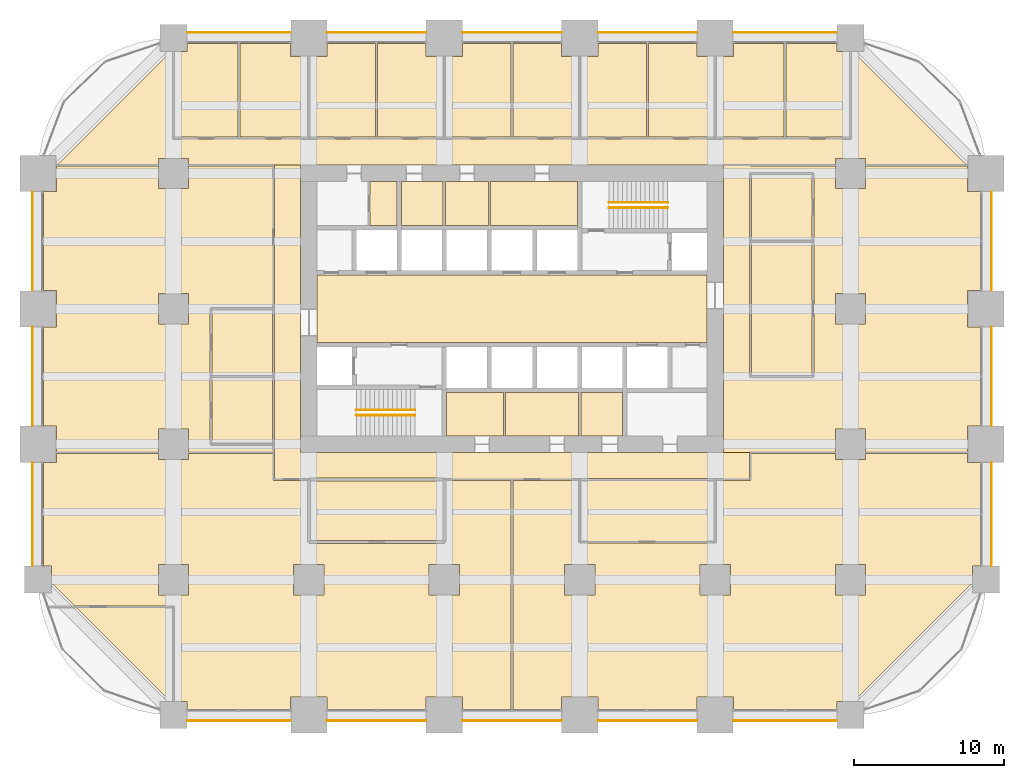
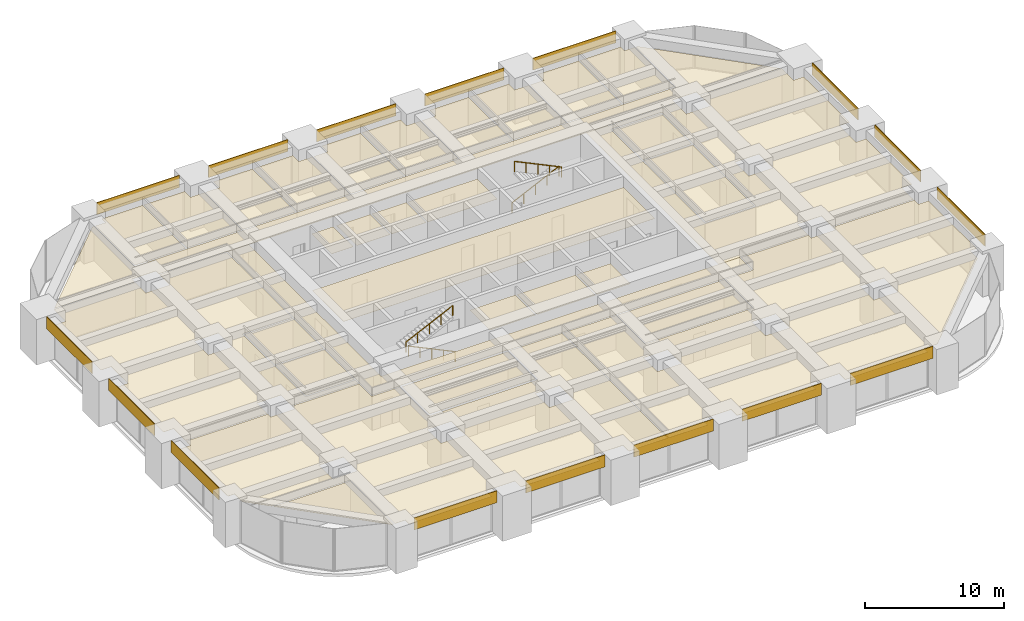
# One storey, part 40 of 40: 47 coverings, 4 railings.
"""IFC4 building model written with IfcOpenShell, lengths in metres."""

from ifc_helpers import new_model, si_unit, direction, frame, frame_2d, origin, origin_2d, place, context, subcontext, project, spatial, polyline, rectangle, circle, outline, extrude, material, layer, layer_set, type_object, element, save


model = new_model("IFC4")

# Units and contexts
model_context = context("Model", 3, precision=1e-05, world=origin(), true_north=direction((0.0, 1.0)))
body_context = subcontext(model_context, "Body", "Model", "MODEL_VIEW")
ifc_project = project(units=[si_unit("LENGTHUNIT", "METRE"), si_unit("AREAUNIT", "SQUARE_METRE"), si_unit("VOLUMEUNIT", "CUBIC_METRE"), si_unit("PLANEANGLEUNIT", "RADIAN"), si_unit("MASSUNIT", "GRAM", prefix="KILO")], contexts=[model_context])

# Site, building, storey
site_placement = place(None, origin())
site = spatial("IfcSite", under=ifc_project, at=site_placement, CompositionType="ELEMENT")
building_placement = place(site_placement, origin())
building = spatial("IfcBuilding", under=site, at=building_placement, Name="Zorevar Civic Tower", CompositionType="ELEMENT")
storey_placement = place(building_placement, frame((0.0, 0.0, 93.0)))
storey = spatial("IfcBuildingStorey", under=building, at=storey_placement, Name="L22", CompositionType="ELEMENT", Elevation=93.0)

# Railings
ifc_material_1 = material(Name="Black steel handrail", Category="steel")
railing_type = type_object("IfcRailingType", Name="Handrail HR1 900", PredefinedType="HANDRAIL", material=ifc_material_1)
railing_1_placement = place(storey_placement, frame((25.050048828125, 19.925048828125, 0.142822265625)))
element("IfcRailing", 1, at=railing_1_placement, inside=storey, type_object=railing_type, Name="Handrail HR1 ST1 L22", PredefinedType="HANDRAIL", context=body_context, shape_type="SweptSolid", body=[
    extrude(circle(Radius=0.02392578125, at=origin_2d()), frame((0.0, 0.0, 0.8759765625), z_axis=(-0.902863652845, 0.0, 0.429926998885), x_axis=(0.0, -1.0, 0.0)), (0.0, 0.0, 1.0), 4.31982421875),
    extrude(circle(Radius=0.02099609375, at=origin_2d()), origin(), (0.0, 0.0, 1.0), 0.851806640625),
    extrude(circle(Radius=0.02099609375, at=origin_2d()), frame((-0.97509765625, 0.0, 0.46435546875)), (0.0, 0.0, 1.0), 0.851806640625),
    extrude(circle(Radius=0.02099609375, at=origin_2d()), frame((-1.9501953125, 0.0, 0.9287109375)), (0.0, 0.0, 1.0), 0.851806640625),
    extrude(circle(Radius=0.02099609375, at=origin_2d()), frame((-2.925048828125, 0.0, 1.392822265625)), (0.0, 0.0, 1.0), 0.851806640625),
    extrude(circle(Radius=0.02099609375, at=origin_2d()), frame((-3.900146484375, 0.0, 1.857177734375)), (0.0, 0.0, 1.0), 0.851806640625),
])
for number, where, name in (
    (2, (21.14990234375, 20.27490234375, 2.142822265625), "Handrail HR1 ST1 L22"),
    (3, (37.949951171875, 34.074951171875, 0.142822265625), "Handrail HR1 ST2 L22"),
):
    element("IfcRailing", number, at=place(storey_placement, frame(where)), inside=storey, type_object=railing_type, Name=name, PredefinedType="HANDRAIL", context=body_context, shape_type="SweptSolid", body=[
        extrude(circle(Radius=0.02392578125, at=origin_2d()), frame((0.0, 0.0, 0.8759765625), z_axis=(0.902863652845, 0.0, 0.429926998885), x_axis=(0.0, 1.0, 0.0)), (0.0, 0.0, 1.0), 4.31982421875),
        extrude(circle(Radius=0.02099609375, at=origin_2d()), origin(), (0.0, 0.0, 1.0), 0.851806640625),
        extrude(circle(Radius=0.02099609375, at=origin_2d()), frame((0.97509765625, 0.0, 0.46435546875)), (0.0, 0.0, 1.0), 0.851806640625),
        extrude(circle(Radius=0.02099609375, at=origin_2d()), frame((1.9501953125, 0.0, 0.9287109375)), (0.0, 0.0, 1.0), 0.851806640625),
        extrude(circle(Radius=0.02099609375, at=origin_2d()), frame((2.925048828125, 0.0, 1.392822265625)), (0.0, 0.0, 1.0), 0.851806640625),
        extrude(circle(Radius=0.02099609375, at=origin_2d()), frame((3.900146484375, 0.0, 1.857177734375)), (0.0, 0.0, 1.0), 0.851806640625),
    ])
railing_2_placement = place(storey_placement, frame((41.85009765625, 33.72509765625, 2.142822265625)))
element("IfcRailing", 4, at=railing_2_placement, inside=storey, type_object=railing_type, Name="Handrail HR1 ST2 L22", PredefinedType="HANDRAIL", context=body_context, shape_type="SweptSolid", body=[
    extrude(circle(Radius=0.02392578125, at=origin_2d()), frame((0.0, 0.0, 0.8759765625), z_axis=(-0.902863652845, 0.0, 0.429926998885), x_axis=(0.0, -1.0, 0.0)), (0.0, 0.0, 1.0), 4.31982421875),
    extrude(circle(Radius=0.02099609375, at=origin_2d()), origin(), (0.0, 0.0, 1.0), 0.851806640625),
    extrude(circle(Radius=0.02099609375, at=origin_2d()), frame((-0.97509765625, 0.0, 0.46435546875)), (0.0, 0.0, 1.0), 0.851806640625),
    extrude(circle(Radius=0.02099609375, at=origin_2d()), frame((-1.9501953125, 0.0, 0.9287109375)), (0.0, 0.0, 1.0), 0.851806640625),
    extrude(circle(Radius=0.02099609375, at=origin_2d()), frame((-2.925048828125, 0.0, 1.392822265625)), (0.0, 0.0, 1.0), 0.851806640625),
    extrude(circle(Radius=0.02099609375, at=origin_2d()), frame((-3.900146484375, 0.0, 1.857177734375)), (0.0, 0.0, 1.0), 0.851806640625),
])

# Coverings
ifc_material_2 = material(Name="Moisture-resistant gypsum board")
ifc_layer_1 = layer(ifc_material_2, 0.012451171875)
ifc_layer_set_1 = layer_set([ifc_layer_1], Name="Moisture-resistant ceiling SC3")
covering_type_1 = type_object("IfcCoveringType", Name="Moisture-resistant ceiling SC3", PredefinedType="CEILING", material=ifc_layer_set_1)
covering_1_placement = place(storey_placement, frame((0.0, 0.0, 3.0)))
element("IfcCovering", 5, at=covering_1_placement, inside=storey, type_object=covering_type_1, Name="Ceiling L22-05", PredefinedType="CEILING", context=body_context, shape_type="SweptSolid", body=[
    extrude(outline(polyline([(30.925048828125, 18.550048828125), (30.925048828125, 21.449951171875), (27.14990234375, 21.449951171875), (27.14990234375, 18.550048828125), (30.925048828125, 18.550048828125)])), origin(), (0.0, 0.0, 1.0), 0.012451171875),
])
covering_2_placement = place(storey_placement, frame((0.0, 0.0, 3.0)))
element("IfcCovering", 6, at=covering_2_placement, inside=storey, type_object=covering_type_1, Name="Ceiling L22-06", PredefinedType="CEILING", context=body_context, shape_type="SweptSolid", body=[
    extrude(outline(polyline([(35.925048828125, 18.550048828125), (35.925048828125, 21.449951171875), (31.074951171875, 21.449951171875), (31.074951171875, 18.550048828125), (35.925048828125, 18.550048828125)])), origin(), (0.0, 0.0, 1.0), 0.012451171875),
])
covering_3_placement = place(storey_placement, frame((0.0, 0.0, 3.0)))
element("IfcCovering", 7, at=covering_3_placement, inside=storey, type_object=covering_type_1, Name="Ceiling L22-07", PredefinedType="CEILING", context=body_context, shape_type="SweptSolid", body=[
    extrude(outline(polyline([(38.85009765625, 18.550048828125), (38.85009765625, 21.449951171875), (36.074951171875, 21.449951171875), (36.074951171875, 18.550048828125), (38.85009765625, 18.550048828125)])), origin(), (0.0, 0.0, 1.0), 0.012451171875),
])
covering_4_placement = place(storey_placement, frame((0.0, 0.0, 3.0)))
element("IfcCovering", 8, at=covering_4_placement, inside=storey, type_object=covering_type_1, Name="Ceiling L22-10", PredefinedType="CEILING", context=body_context, shape_type="SweptSolid", body=[
    extrude(outline(polyline([(26.925048828125, 32.550048828125), (26.925048828125, 35.449951171875), (24.14990234375, 35.449951171875), (24.14990234375, 32.550048828125), (26.925048828125, 32.550048828125)])), origin(), (0.0, 0.0, 1.0), 0.012451171875),
])
ifc_material_3 = material(Name="Black anodised aluminium spandrel panel", Category="aluminium")
ifc_layer_2 = layer(ifc_material_3, 0.050048828125)
ifc_layer_set_2 = layer_set([ifc_layer_2], Name="Spandrel cladding SP1")
covering_type_2 = type_object("IfcCoveringType", Name="Spandrel cladding SP1", PredefinedType="CLADDING", material=ifc_layer_set_2)
covering_5_placement = place(storey_placement, frame((9.89990234375, -0.375, 2.949951171875), z_axis=(0.0, 0.0, 1.0), x_axis=(1.0, 0.0, 0.0)))
element("IfcCovering", 9, at=covering_5_placement, inside=storey, type_object=covering_type_2, Name="Spandrel cladding L23", PredefinedType="CLADDING", context=body_context, shape_type="SweptSolid", body=[
    extrude(rectangle(XDim=6.900146484375, YDim=0.050048828125, at=frame_2d((3.4501953125, 0.0))), origin(), (0.0, 0.0, 1.0), 1.050048828125),
])
for number, where, z_axis, x_axis, name in (
    (10, (19.199951171875, -0.375, 2.949951171875), (0.0, 0.0, 1.0), (1.0, 0.0, 0.0), "Spandrel cladding L23"),
    (11, (28.199951171875, -0.375, 2.949951171875), (0.0, 0.0, 1.0), (1.0, 0.0, 0.0), "Spandrel cladding L23"),
    (12, (37.199951171875, -0.375, 2.949951171875), (0.0, 0.0, 1.0), (1.0, 0.0, 0.0), "Spandrel cladding L23"),
):
    element("IfcCovering", number, at=place(storey_placement, frame(where, z_axis=z_axis, x_axis=x_axis)), inside=storey, type_object=covering_type_2, Name=name, PredefinedType="CLADDING", context=body_context, shape_type="SweptSolid", body=[
        extrude(rectangle(XDim=6.60009765625, YDim=0.050048828125, at=frame_2d((3.300048828125, 0.0))), origin(), (0.0, 0.0, 1.0), 1.050048828125),
    ])
for number, where, z_axis, x_axis, name in (
    (13, (46.199951171875, -0.375, 2.949951171875), (0.0, 0.0, 1.0), (1.0, 0.0, 0.0), "Spandrel cladding L23"),
    (14, (9.89990234375, 45.375, 2.949951171875), (0.0, 0.0, 1.0), (1.0, 0.0, 0.0), "Spandrel cladding L23"),
):
    element("IfcCovering", number, at=place(storey_placement, frame(where, z_axis=z_axis, x_axis=x_axis)), inside=storey, type_object=covering_type_2, Name=name, PredefinedType="CLADDING", context=body_context, shape_type="SweptSolid", body=[
        extrude(rectangle(XDim=6.900146484375, YDim=0.050048828125, at=frame_2d((3.4501953125, 0.0))), origin(), (0.0, 0.0, 1.0), 1.050048828125),
    ])
for number, where, z_axis, x_axis, name in (
    (15, (19.199951171875, 45.375, 2.949951171875), (0.0, 0.0, 1.0), (1.0, 0.0, 0.0), "Spandrel cladding L23"),
    (16, (28.199951171875, 45.375, 2.949951171875), (0.0, 0.0, 1.0), (1.0, 0.0, 0.0), "Spandrel cladding L23"),
    (17, (37.199951171875, 45.375, 2.949951171875), (0.0, 0.0, 1.0), (1.0, 0.0, 0.0), "Spandrel cladding L23"),
):
    element("IfcCovering", number, at=place(storey_placement, frame(where, z_axis=z_axis, x_axis=x_axis)), inside=storey, type_object=covering_type_2, Name=name, PredefinedType="CLADDING", context=body_context, shape_type="SweptSolid", body=[
        extrude(rectangle(XDim=6.60009765625, YDim=0.050048828125, at=frame_2d((3.300048828125, 0.0))), origin(), (0.0, 0.0, 1.0), 1.050048828125),
    ])
for number, where, z_axis, x_axis, name in (
    (18, (46.199951171875, 45.375, 2.949951171875), (0.0, 0.0, 1.0), (1.0, 0.0, 0.0), "Spandrel cladding L23"),
    (19, (-0.375, 9.89990234375, 2.949951171875), (0.0, 0.0, 1.0), (0.0, 1.0, 0.0), "Spandrel cladding L23"),
):
    element("IfcCovering", number, at=place(storey_placement, frame(where, z_axis=z_axis, x_axis=x_axis)), inside=storey, type_object=covering_type_2, Name=name, PredefinedType="CLADDING", context=body_context, shape_type="SweptSolid", body=[
        extrude(rectangle(XDim=6.900146484375, YDim=0.050048828125, at=frame_2d((3.4501953125, 0.0))), origin(), (0.0, 0.0, 1.0), 1.050048828125),
    ])
for number, where, z_axis, x_axis, name in (
    (20, (-0.375, 19.199951171875, 2.949951171875), (0.0, 0.0, 1.0), (0.0, 1.0, 0.0), "Spandrel cladding L23"),
    (21, (-0.375, 28.199951171875, 2.949951171875), (0.0, 0.0, 1.0), (0.0, 1.0, 0.0), "Spandrel cladding L23"),
):
    element("IfcCovering", number, at=place(storey_placement, frame(where, z_axis=z_axis, x_axis=x_axis)), inside=storey, type_object=covering_type_2, Name=name, PredefinedType="CLADDING", context=body_context, shape_type="SweptSolid", body=[
        extrude(rectangle(XDim=6.60009765625, YDim=0.050048828125, at=frame_2d((3.300048828125, 0.0))), origin(), (0.0, 0.0, 1.0), 1.050048828125),
    ])
covering_6_placement = place(storey_placement, frame((63.375, 9.89990234375, 2.949951171875), z_axis=(0.0, 0.0, 1.0), x_axis=(0.0, 1.0, 0.0)))
element("IfcCovering", 22, at=covering_6_placement, inside=storey, type_object=covering_type_2, Name="Spandrel cladding L23", PredefinedType="CLADDING", context=body_context, shape_type="SweptSolid", body=[
    extrude(rectangle(XDim=6.900146484375, YDim=0.050048828125, at=frame_2d((3.4501953125, 0.0))), origin(), (0.0, 0.0, 1.0), 1.050048828125),
])
for number, where, z_axis, x_axis, name in (
    (23, (63.375, 19.199951171875, 2.949951171875), (0.0, 0.0, 1.0), (0.0, 1.0, 0.0), "Spandrel cladding L23"),
    (24, (63.375, 28.199951171875, 2.949951171875), (0.0, 0.0, 1.0), (0.0, 1.0, 0.0), "Spandrel cladding L23"),
):
    element("IfcCovering", number, at=place(storey_placement, frame(where, z_axis=z_axis, x_axis=x_axis)), inside=storey, type_object=covering_type_2, Name=name, PredefinedType="CLADDING", context=body_context, shape_type="SweptSolid", body=[
        extrude(rectangle(XDim=6.60009765625, YDim=0.050048828125, at=frame_2d((3.300048828125, 0.0))), origin(), (0.0, 0.0, 1.0), 1.050048828125),
    ])
ifc_material_4 = material(Name="Mineral fibre tiles on a concealed grid")
ifc_layer_3 = layer(ifc_material_4, 0.02001953125)
ifc_layer_set_3 = layer_set([ifc_layer_3], Name="Suspended ceiling SC1")
covering_type_3 = type_object("IfcCoveringType", Name="Suspended ceiling SC1", PredefinedType="CEILING", material=ifc_layer_set_3)
covering_7_placement = place(storey_placement, frame((0.0, 0.0, 3.0)))
element("IfcCovering", 25, at=covering_7_placement, inside=storey, type_object=covering_type_3, Name="Ceiling L22-08", PredefinedType="CEILING", context=body_context, shape_type="SweptSolid", body=[
    extrude(outline(polyline([(35.85009765625, 32.550048828125), (35.85009765625, 35.449951171875), (30.06005859375, 35.449951171875), (30.06005859375, 32.550048828125), (35.85009765625, 32.550048828125)])), origin(), (0.0, 0.0, 1.0), 0.02001953125),
])
covering_8_placement = place(storey_placement, frame((0.0, 0.0, 3.0)))
element("IfcCovering", 26, at=covering_8_placement, inside=storey, type_object=covering_type_3, Name="Ceiling L22-09", PredefinedType="CEILING", context=body_context, shape_type="SweptSolid", body=[
    extrude(outline(polyline([(29.93994140625, 32.550048828125), (29.93994140625, 35.449951171875), (27.074951171875, 35.449951171875), (27.074951171875, 32.550048828125), (29.93994140625, 32.550048828125)])), origin(), (0.0, 0.0, 1.0), 0.02001953125),
])
covering_9_placement = place(storey_placement, frame((0.0, 0.0, 3.0)))
element("IfcCovering", 27, at=covering_9_placement, inside=storey, type_object=covering_type_3, Name="Ceiling L22-12", PredefinedType="CEILING", context=body_context, shape_type="SweptSolid", body=[
    extrude(outline(polyline([(23.85009765625, 32.550048828125), (23.85009765625, 35.449951171875), (22.06005859375, 35.449951171875), (22.06005859375, 32.550048828125), (23.85009765625, 32.550048828125)])), origin(), (0.0, 0.0, 1.0), 0.02001953125),
])
covering_10_placement = place(storey_placement, frame((0.0, 0.0, 3.0)))
element("IfcCovering", 28, at=covering_10_placement, inside=storey, type_object=covering_type_3, Name="Ceiling L22-16", PredefinedType="CEILING", context=body_context, shape_type="SweptSolid", body=[
    extrude(outline(polyline([(44.449951171875, 24.75), (44.449951171875, 29.25), (18.550048828125, 29.25), (18.550048828125, 24.75), (44.449951171875, 24.75)])), origin(), (0.0, 0.0, 1.0), 0.02001953125),
])
covering_11_placement = place(storey_placement, frame((0.0, 0.0, 3.0)))
element("IfcCovering", 29, at=covering_11_placement, inside=storey, type_object=covering_type_3, Name="Ceiling L22-17", PredefinedType="CEILING", context=body_context, shape_type="SweptSolid", body=[
    extrude(outline(polyline([(9.06005859375, 38.409912109375), (9.06005859375, 44.090087890625), (9.909912109375, 44.090087890625), (9.909912109375, 44.64990234375), (13.2900390625, 44.64990234375), (13.2900390625, 38.409912109375), (9.06005859375, 38.409912109375)])), origin(), (0.0, 0.0, 1.0), 0.02001953125),
])
covering_12_placement = place(storey_placement, frame((0.0, 0.0, 3.0)))
element("IfcCovering", 30, at=covering_12_placement, inside=storey, type_object=covering_type_3, Name="Ceiling L22-18", PredefinedType="CEILING", context=body_context, shape_type="SweptSolid", body=[
    extrude(outline(polyline([(13.409912109375, 38.409912109375), (13.409912109375, 44.64990234375), (16.7900390625, 44.64990234375), (16.7900390625, 43.7900390625), (17.93994140625, 43.7900390625), (17.93994140625, 38.409912109375), (13.409912109375, 38.409912109375)])), origin(), (0.0, 0.0, 1.0), 0.02001953125),
])
covering_13_placement = place(storey_placement, frame((0.0, 0.0, 3.0)))
element("IfcCovering", 31, at=covering_13_placement, inside=storey, type_object=covering_type_3, Name="Ceiling L22-19", PredefinedType="CEILING", context=body_context, shape_type="SweptSolid", body=[
    extrude(outline(polyline([(18.06005859375, 38.409912109375), (18.06005859375, 43.7900390625), (19.2099609375, 43.7900390625), (19.2099609375, 44.64990234375), (22.43994140625, 44.64990234375), (22.43994140625, 38.409912109375), (18.06005859375, 38.409912109375)])), origin(), (0.0, 0.0, 1.0), 0.02001953125),
])
covering_14_placement = place(storey_placement, frame((0.0, 0.0, 3.0)))
element("IfcCovering", 32, at=covering_14_placement, inside=storey, type_object=covering_type_3, Name="Ceiling L22-20", PredefinedType="CEILING", context=body_context, shape_type="SweptSolid", body=[
    extrude(outline(polyline([(22.56005859375, 38.409912109375), (22.56005859375, 44.64990234375), (25.7900390625, 44.64990234375), (25.7900390625, 43.7900390625), (26.93994140625, 43.7900390625), (26.93994140625, 38.409912109375), (22.56005859375, 38.409912109375)])), origin(), (0.0, 0.0, 1.0), 0.02001953125),
])
covering_15_placement = place(storey_placement, frame((0.0, 0.0, 3.0)))
element("IfcCovering", 33, at=covering_15_placement, inside=storey, type_object=covering_type_3, Name="Ceiling L22-21", PredefinedType="CEILING", context=body_context, shape_type="SweptSolid", body=[
    extrude(outline(polyline([(27.06005859375, 38.409912109375), (27.06005859375, 43.7900390625), (28.2099609375, 43.7900390625), (28.2099609375, 44.64990234375), (31.43994140625, 44.64990234375), (31.43994140625, 38.409912109375), (27.06005859375, 38.409912109375)])), origin(), (0.0, 0.0, 1.0), 0.02001953125),
])
covering_16_placement = place(storey_placement, frame((0.0, 0.0, 3.0)))
element("IfcCovering", 34, at=covering_16_placement, inside=storey, type_object=covering_type_3, Name="Ceiling L22-22", PredefinedType="CEILING", context=body_context, shape_type="SweptSolid", body=[
    extrude(outline(polyline([(31.56005859375, 38.409912109375), (31.56005859375, 44.64990234375), (34.7900390625, 44.64990234375), (34.7900390625, 43.7900390625), (35.93994140625, 43.7900390625), (35.93994140625, 38.409912109375), (31.56005859375, 38.409912109375)])), origin(), (0.0, 0.0, 1.0), 0.02001953125),
])
covering_17_placement = place(storey_placement, frame((0.0, 0.0, 3.0)))
element("IfcCovering", 35, at=covering_17_placement, inside=storey, type_object=covering_type_3, Name="Ceiling L22-23", PredefinedType="CEILING", context=body_context, shape_type="SweptSolid", body=[
    extrude(outline(polyline([(36.06005859375, 38.409912109375), (36.06005859375, 43.7900390625), (37.2099609375, 43.7900390625), (37.2099609375, 44.64990234375), (40.43994140625, 44.64990234375), (40.43994140625, 38.409912109375), (36.06005859375, 38.409912109375)])), origin(), (0.0, 0.0, 1.0), 0.02001953125),
])
covering_18_placement = place(storey_placement, frame((0.0, 0.0, 3.0)))
element("IfcCovering", 36, at=covering_18_placement, inside=storey, type_object=covering_type_3, Name="Ceiling L22-24", PredefinedType="CEILING", context=body_context, shape_type="SweptSolid", body=[
    extrude(outline(polyline([(40.56005859375, 38.409912109375), (40.56005859375, 44.64990234375), (43.7900390625, 44.64990234375), (43.7900390625, 43.7900390625), (44.93994140625, 43.7900390625), (44.93994140625, 38.409912109375), (40.56005859375, 38.409912109375)])), origin(), (0.0, 0.0, 1.0), 0.02001953125),
])
covering_19_placement = place(storey_placement, frame((0.0, 0.0, 3.0)))
element("IfcCovering", 37, at=covering_19_placement, inside=storey, type_object=covering_type_3, Name="Ceiling L22-25", PredefinedType="CEILING", context=body_context, shape_type="SweptSolid", body=[
    extrude(outline(polyline([(45.06005859375, 38.409912109375), (45.06005859375, 43.7900390625), (46.2099609375, 43.7900390625), (46.2099609375, 44.64990234375), (49.590087890625, 44.64990234375), (49.590087890625, 38.409912109375), (45.06005859375, 38.409912109375)])), origin(), (0.0, 0.0, 1.0), 0.02001953125),
])
covering_20_placement = place(storey_placement, frame((0.0, 0.0, 3.0)))
element("IfcCovering", 38, at=covering_20_placement, inside=storey, type_object=covering_type_3, Name="Ceiling L22-26", PredefinedType="CEILING", context=body_context, shape_type="SweptSolid", body=[
    extrude(outline(polyline([(49.7099609375, 38.409912109375), (49.7099609375, 44.64990234375), (53.090087890625, 44.64990234375), (53.090087890625, 44.090087890625), (53.93994140625, 44.090087890625), (53.93994140625, 38.409912109375), (49.7099609375, 38.409912109375)])), origin(), (0.0, 0.0, 1.0), 0.02001953125),
])
covering_21_placement = place(storey_placement, frame((0.0, 0.0, 3.0)))
element("IfcCovering", 39, at=covering_21_placement, inside=storey, type_object=covering_type_3, Name="Ceiling L22-27", PredefinedType="CEILING", context=body_context, shape_type="SweptSolid", body=[
    extrude(outline(polyline([(18.10009765625, 11.60009765625), (18.10009765625, 15.550048828125), (26.89990234375, 15.550048828125), (26.89990234375, 11.60009765625), (18.10009765625, 11.60009765625)])), origin(), (0.0, 0.0, 1.0), 0.02001953125),
])
covering_22_placement = place(storey_placement, frame((0.0, 0.0, 3.0)))
element("IfcCovering", 40, at=covering_22_placement, inside=storey, type_object=covering_type_3, Name="Ceiling L22-28", PredefinedType="CEILING", context=body_context, shape_type="SweptSolid", body=[
    extrude(outline(polyline([(44.93994140625, 15.590087890625), (44.93994140625, 11.550048828125), (36.06005859375, 11.550048828125), (36.06005859375, 15.590087890625), (44.93994140625, 15.590087890625)])), origin(), (0.0, 0.0, 1.0), 0.02001953125),
])
covering_23_placement = place(storey_placement, frame((0.0, 0.0, 3.0)))
element("IfcCovering", 41, at=covering_23_placement, inside=storey, type_object=covering_type_3, Name="Ceiling L22-29", PredefinedType="CEILING", context=body_context, shape_type="SweptSolid", body=[
    extrude(outline(polyline([(15.590087890625, 22.43994140625), (15.590087890625, 18.06005859375), (11.56005859375, 18.06005859375), (11.56005859375, 22.43994140625), (15.590087890625, 22.43994140625)])), origin(), (0.0, 0.0, 1.0), 0.02001953125),
])
covering_24_placement = place(storey_placement, frame((0.0, 0.0, 3.0)))
element("IfcCovering", 42, at=covering_24_placement, inside=storey, type_object=covering_type_3, Name="Ceiling L22-30", PredefinedType="CEILING", context=body_context, shape_type="SweptSolid", body=[
    extrude(outline(polyline([(47.409912109375, 35.93994140625), (51.43994140625, 35.93994140625), (51.43994140625, 31.56005859375), (47.409912109375, 31.56005859375), (47.409912109375, 35.93994140625)])), origin(), (0.0, 0.0, 1.0), 0.02001953125),
])
covering_25_placement = place(storey_placement, frame((0.0, 0.0, 3.0)))
element("IfcCovering", 43, at=covering_25_placement, inside=storey, type_object=covering_type_3, Name="Ceiling L22-31", PredefinedType="CEILING", context=body_context, shape_type="SweptSolid", body=[
    extrude(outline(polyline([(51.43994140625, 31.43994140625), (51.43994140625, 22.56005859375), (47.409912109375, 22.56005859375), (47.409912109375, 31.43994140625), (51.43994140625, 31.43994140625)])), origin(), (0.0, 0.0, 1.0), 0.02001953125),
])
covering_26_placement = place(storey_placement, frame((0.0, 0.0, 3.0)))
element("IfcCovering", 44, at=covering_26_placement, inside=storey, type_object=covering_type_3, Name="Ceiling L22-32", PredefinedType="CEILING", context=body_context, shape_type="SweptSolid", body=[
    extrude(outline(polyline([(11.56005859375, 26.93994140625), (15.590087890625, 26.93994140625), (15.590087890625, 22.56005859375), (11.56005859375, 22.56005859375), (11.56005859375, 26.93994140625)])), origin(), (0.0, 0.0, 1.0), 0.02001953125),
])
covering_27_placement = place(storey_placement, frame((0.0, 0.0, 3.0)))
element("IfcCovering", 45, at=covering_27_placement, inside=storey, type_object=covering_type_3, Name="Ceiling L22-33", PredefinedType="CEILING", context=body_context, shape_type="SweptSolid", body=[
    extrude(outline(polyline([(8.949951171875, 7.14990234375), (8.949951171875, 0.909912109375), (8.797119140625, 0.909912109375), (2.55712890625, 7.14990234375), (8.949951171875, 7.14990234375)])), origin(), (0.0, 0.0, 1.0), 0.02001953125),
])
covering_28_placement = place(storey_placement, frame((0.0, 0.0, 3.0)))
element("IfcCovering", 46, at=covering_28_placement, inside=storey, type_object=covering_type_3, Name="Ceiling L22-34", PredefinedType="CEILING", context=body_context, shape_type="SweptSolid", body=[
    extrude(outline(polyline([(47.300048828125, 15.699951171875), (45.0, 15.699951171875), (45.0, 15.7099609375), (36.0, 15.7099609375), (36.0, 15.699951171875), (27.0, 15.699951171875), (27.0, 15.75), (18.0, 15.75), (18.0, 15.699951171875), (15.699951171875, 15.699951171875), (15.699951171875, 18.0), (15.7099609375, 18.0), (15.7099609375, 27.0), (15.699951171875, 27.0), (15.699951171875, 36.550048828125), (17.449951171875, 36.550048828125), (17.449951171875, 17.449951171875), (47.300048828125, 17.449951171875), (47.300048828125, 15.699951171875)])), origin(), (0.0, 0.0, 1.0), 0.02001953125),
])
covering_29_placement = place(storey_placement, frame((0.0, 0.0, 3.0)))
element("IfcCovering", 47, at=covering_29_placement, inside=storey, type_object=covering_type_3, Name="Ceiling L22-35", PredefinedType="CEILING", context=body_context, shape_type="SweptSolid", body=[
    extrude(outline(polyline([(47.35009765625, 36.5), (52.989990234375, 36.5), (52.989990234375, 34.989990234375), (55.010009765625, 34.989990234375), (55.010009765625, 36.5), (61.7900390625, 36.5), (61.7900390625, 34.7900390625), (62.64990234375, 34.7900390625), (62.64990234375, 28.2099609375), (61.7900390625, 28.2099609375), (61.7900390625, 25.7900390625), (62.64990234375, 25.7900390625), (62.64990234375, 19.2099609375), (61.7900390625, 19.2099609375), (61.7900390625, 17.5), (55.010009765625, 17.5), (55.010009765625, 19.010009765625), (52.989990234375, 19.010009765625), (52.989990234375, 17.5), (47.35009765625, 17.5), (47.35009765625, 17.449951171875), (45.550048828125, 17.449951171875), (45.550048828125, 36.550048828125), (47.35009765625, 36.550048828125), (47.35009765625, 36.5)]), holes=[polyline([(47.2900390625, 36.0), (47.2900390625, 22.5), (47.35009765625, 22.5), (47.35009765625, 22.43994140625), (51.5, 22.43994140625), (51.5, 22.5), (51.56005859375, 22.5), (51.56005859375, 36.0), (51.5, 36.0), (51.5, 36.06005859375), (47.35009765625, 36.06005859375), (47.35009765625, 36.0), (47.2900390625, 36.0)]), polyline([(55.010009765625, 28.010009765625), (52.989990234375, 28.010009765625), (52.989990234375, 25.989990234375), (55.010009765625, 25.989990234375), (55.010009765625, 28.010009765625)])]), origin(), (0.0, 0.0, 1.0), 0.02001953125),
])
covering_30_placement = place(storey_placement, frame((0.0, 0.0, 3.0)))
element("IfcCovering", 48, at=covering_30_placement, inside=storey, type_object=covering_type_3, Name="Ceiling L22-36", PredefinedType="CEILING", context=body_context, shape_type="SweptSolid", body=[
    extrude(outline(polyline([(9.0, 38.35009765625), (9.0, 38.2900390625), (54.0, 38.2900390625), (54.0, 38.35009765625), (54.06005859375, 38.35009765625), (54.06005859375, 44.090087890625), (54.202880859375, 44.090087890625), (61.69287109375, 36.60009765625), (55.010009765625, 36.60009765625), (55.010009765625, 37.010009765625), (52.989990234375, 37.010009765625), (52.989990234375, 36.60009765625), (47.35009765625, 36.60009765625), (47.35009765625, 36.550048828125), (15.64990234375, 36.550048828125), (15.64990234375, 36.60009765625), (10.010009765625, 36.60009765625), (10.010009765625, 37.010009765625), (7.989990234375, 37.010009765625), (7.989990234375, 36.60009765625), (1.30712890625, 36.60009765625), (8.797119140625, 44.090087890625), (8.93994140625, 44.090087890625), (8.93994140625, 38.35009765625), (9.0, 38.35009765625)])), origin(), (0.0, 0.0, 1.0), 0.02001953125),
])
covering_31_placement = place(storey_placement, frame((0.0, 0.0, 3.0)))
element("IfcCovering", 49, at=covering_31_placement, inside=storey, type_object=covering_type_3, Name="Ceiling L22-37", PredefinedType="CEILING", context=body_context, shape_type="SweptSolid", body=[
    extrude(outline(polyline([(17.89990234375, 11.5), (18.0, 11.5), (18.0, 11.39990234375), (27.0, 11.39990234375), (27.0, 11.5), (27.10009765625, 11.5), (27.10009765625, 15.60009765625), (31.449951171875, 15.60009765625), (31.449951171875, 0.35009765625), (28.2099609375, 0.35009765625), (28.2099609375, 1.2099609375), (25.7900390625, 1.2099609375), (25.7900390625, 0.35009765625), (19.2099609375, 0.35009765625), (19.2099609375, 1.2099609375), (16.7900390625, 1.2099609375), (16.7900390625, 0.35009765625), (9.909912109375, 0.35009765625), (9.909912109375, 0.909912109375), (9.050048828125, 0.909912109375), (9.050048828125, 7.199951171875), (9.0, 7.199951171875), (9.0, 7.25), (2.45703125, 7.25), (0.909912109375, 8.797119140625), (0.909912109375, 9.909912109375), (0.35009765625, 9.909912109375), (0.35009765625, 16.7900390625), (1.2099609375, 16.7900390625), (1.2099609375, 17.39990234375), (7.989990234375, 17.39990234375), (7.989990234375, 16.989990234375), (10.010009765625, 16.989990234375), (10.010009765625, 17.39990234375), (15.60009765625, 17.39990234375), (15.60009765625, 15.64990234375), (15.64990234375, 15.64990234375), (15.64990234375, 15.60009765625), (17.89990234375, 15.60009765625), (17.89990234375, 11.5)]), holes=[polyline([(7.989990234375, 7.989990234375), (10.010009765625, 7.989990234375), (10.010009765625, 10.010009765625), (7.989990234375, 10.010009765625), (7.989990234375, 7.989990234375)]), polyline([(19.010009765625, 7.989990234375), (19.010009765625, 10.010009765625), (16.989990234375, 10.010009765625), (16.989990234375, 7.989990234375), (19.010009765625, 7.989990234375)]), polyline([(25.989990234375, 10.010009765625), (25.989990234375, 7.989990234375), (28.010009765625, 7.989990234375), (28.010009765625, 10.010009765625), (25.989990234375, 10.010009765625)])]), origin(), (0.0, 0.0, 1.0), 0.02001953125),
])
covering_32_placement = place(storey_placement, frame((0.0, 0.0, 3.0)))
element("IfcCovering", 50, at=covering_32_placement, inside=storey, type_object=covering_type_3, Name="Ceiling L22-38", PredefinedType="CEILING", context=body_context, shape_type="SweptSolid", body=[
    extrude(outline(polyline([(62.090087890625, 9.909912109375), (62.090087890625, 8.797119140625), (54.202880859375, 0.909912109375), (53.090087890625, 0.909912109375), (53.090087890625, 0.35009765625), (46.2099609375, 0.35009765625), (46.2099609375, 1.2099609375), (43.7900390625, 1.2099609375), (43.7900390625, 0.35009765625), (37.2099609375, 0.35009765625), (37.2099609375, 1.2099609375), (34.7900390625, 1.2099609375), (34.7900390625, 0.35009765625), (31.550048828125, 0.35009765625), (31.550048828125, 15.60009765625), (35.93994140625, 15.60009765625), (35.93994140625, 11.5), (36.0, 11.5), (36.0, 11.449951171875), (45.0, 11.449951171875), (45.0, 11.5), (45.06005859375, 11.5), (45.06005859375, 15.60009765625), (47.35009765625, 15.60009765625), (47.35009765625, 15.64990234375), (47.39990234375, 15.64990234375), (47.39990234375, 17.39990234375), (52.989990234375, 17.39990234375), (52.989990234375, 16.989990234375), (55.010009765625, 16.989990234375), (55.010009765625, 17.39990234375), (61.7900390625, 17.39990234375), (61.7900390625, 16.7900390625), (62.64990234375, 16.7900390625), (62.64990234375, 9.909912109375), (62.090087890625, 9.909912109375)]), holes=[polyline([(37.010009765625, 10.010009765625), (34.989990234375, 10.010009765625), (34.989990234375, 7.989990234375), (37.010009765625, 7.989990234375), (37.010009765625, 10.010009765625)]), polyline([(43.989990234375, 7.989990234375), (46.010009765625, 7.989990234375), (46.010009765625, 10.010009765625), (43.989990234375, 10.010009765625), (43.989990234375, 7.989990234375)]), polyline([(55.010009765625, 10.010009765625), (52.989990234375, 10.010009765625), (52.989990234375, 7.989990234375), (55.010009765625, 7.989990234375), (55.010009765625, 10.010009765625)])]), origin(), (0.0, 0.0, 1.0), 0.02001953125),
])
covering_33_placement = place(storey_placement, frame((0.0, 0.0, 3.0)))
element("IfcCovering", 51, at=covering_33_placement, inside=storey, type_object=covering_type_3, Name="Ceiling L22-39", PredefinedType="CEILING", context=body_context, shape_type="SweptSolid", body=[
    extrude(outline(polyline([(10.010009765625, 17.5), (10.010009765625, 19.010009765625), (7.989990234375, 19.010009765625), (7.989990234375, 17.5), (1.2099609375, 17.5), (1.2099609375, 19.2099609375), (0.35009765625, 19.2099609375), (0.35009765625, 25.7900390625), (1.2099609375, 25.7900390625), (1.2099609375, 28.2099609375), (0.35009765625, 28.2099609375), (0.35009765625, 34.7900390625), (1.2099609375, 34.7900390625), (1.2099609375, 36.5), (7.989990234375, 36.5), (7.989990234375, 34.989990234375), (10.010009765625, 34.989990234375), (10.010009765625, 36.5), (15.60009765625, 36.5), (15.60009765625, 27.06005859375), (11.5, 27.06005859375), (11.5, 27.0), (11.43994140625, 27.0), (11.43994140625, 18.0), (11.5, 18.0), (11.5, 17.93994140625), (15.60009765625, 17.93994140625), (15.60009765625, 17.5), (10.010009765625, 17.5)]), holes=[polyline([(7.989990234375, 28.010009765625), (7.989990234375, 25.989990234375), (10.010009765625, 25.989990234375), (10.010009765625, 28.010009765625), (7.989990234375, 28.010009765625)])]), origin(), (0.0, 0.0, 1.0), 0.02001953125),
])

save(model, "model.ifc")
